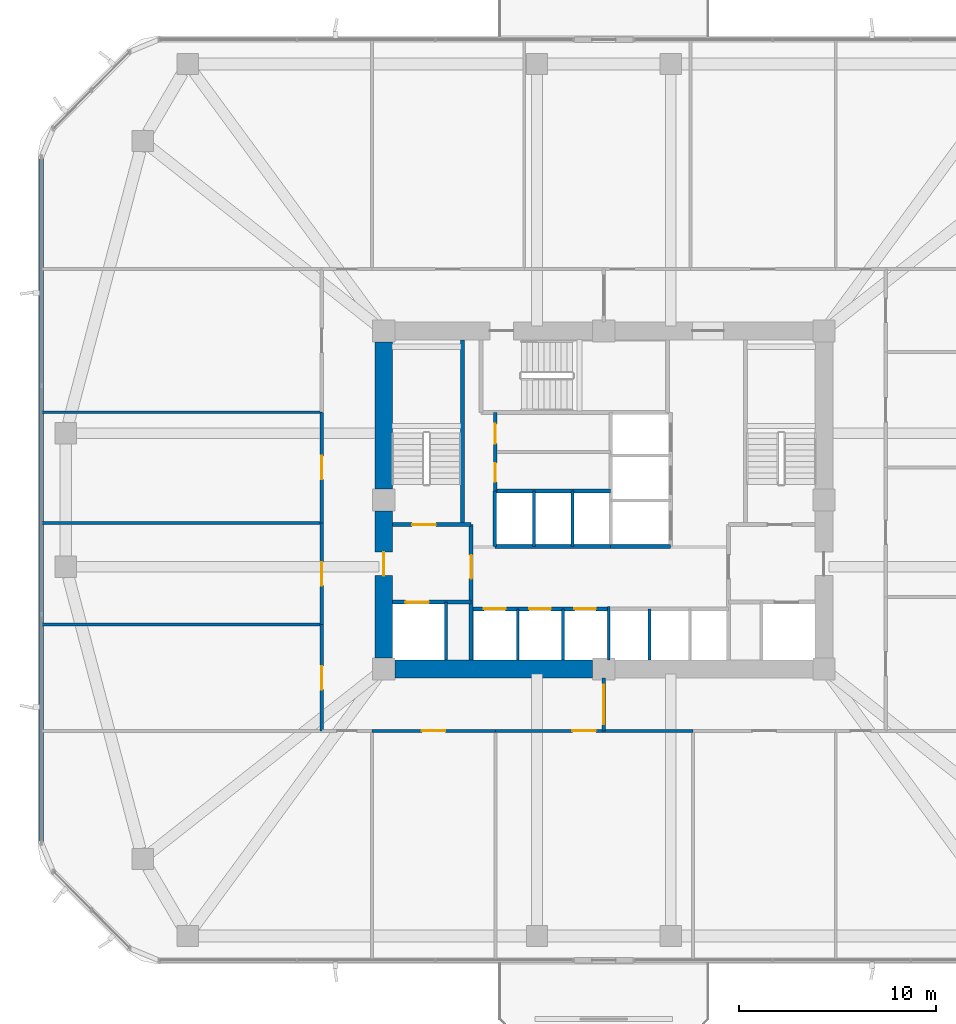
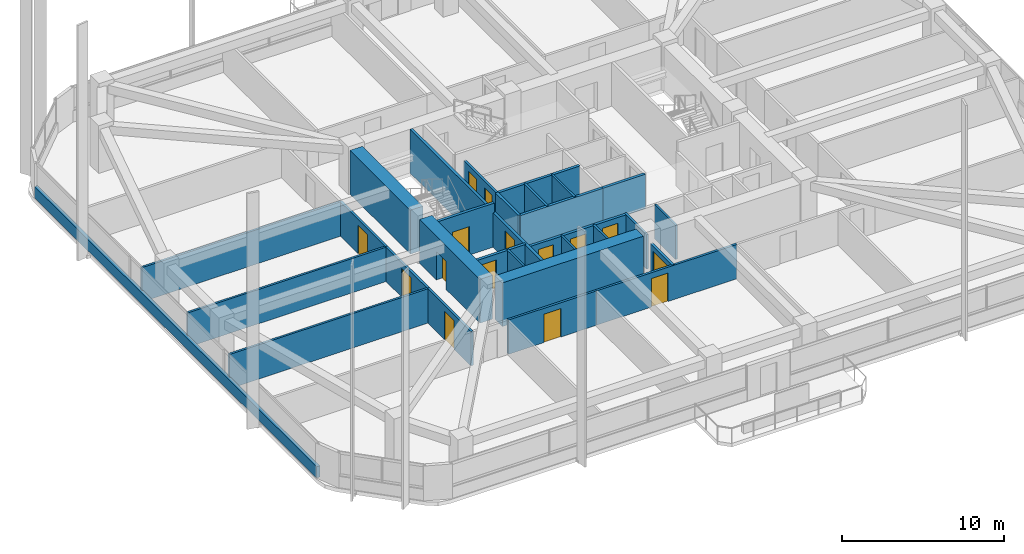
# One storey, part 9 of 17: 30 walls, 15 doors, 15 openings.
"""IFC4 building model written with IfcOpenShell, lengths in metres."""

from ifc_helpers import new_model, si_unit, derived_unit, direction, frame, frame_2d, origin, place, context, subcontext, project, spatial, rectangle, extrude, material, layer, layer_set, type_object, element, fill, save


model = new_model("IFC4")

# Units and contexts
model_context = context("Model", 3, precision=1e-05, world=origin(), true_north=direction((0.0, 1.0)))
body_context = subcontext(model_context, "Body", "Model", "MODEL_VIEW")
ifc_project = project(units=[si_unit("LENGTHUNIT", "METRE"), si_unit("AREAUNIT", "SQUARE_METRE"), si_unit("VOLUMEUNIT", "CUBIC_METRE"), si_unit("PLANEANGLEUNIT", "RADIAN"), si_unit("MASSUNIT", "GRAM", prefix="KILO"), derived_unit("THERMALTRANSMITTANCEUNIT", [(si_unit("POWERUNIT", "WATT"), 1), (si_unit("LENGTHUNIT", "METRE"), -2), (si_unit("THERMODYNAMICTEMPERATUREUNIT", "KELVIN"), -1)])], contexts=[model_context])

# Site, building, storey
site_placement = place(None, origin())
site = spatial("IfcSite", under=ifc_project, at=site_placement, CompositionType="ELEMENT")
building_placement = place(site_placement, origin())
building = spatial("IfcBuilding", under=site, at=building_placement, Name="Koralith Skygarden Medical Center", CompositionType="ELEMENT")
storey_placement = place(building_placement, frame((0.0, 0.0, 67.139892578125)))
storey = spatial("IfcBuildingStorey", under=building, at=storey_placement, Name="L17", CompositionType="ELEMENT", Elevation=67.139892578125)

# Walls
ifc_material_1 = material(Name="Gypsum Board Partition")
ifc_layer_1 = layer(ifc_material_1, 0.14990234375)
ifc_layer_set_1 = layer_set([ifc_layer_1], Name="Gypsum Board Partition")
wall_type_1 = type_object("IfcWallType", Name="Clinical Acoustic Partition 150", PredefinedType="PARTITIONING", material=ifc_layer_set_1)
for number, where, z_axis, x_axis, name in (
    (1, (22.64990234375, 19.554931640625, 0.0), (0.0, 0.0, 1.0), (-1.0, 0.0, 0.0), "L17 Clinical Acoustic Partition 150 W-PART-L17-W-01"),
    (2, (22.64990234375, 24.72509765625, 0.0), (0.0, 0.0, 1.0), (-1.0, 0.0, 0.0), "L17 Clinical Acoustic Partition 150 W-PART-L17-W-02"),
    (3, (22.64990234375, 30.364990234375, 0.0), (0.0, 0.0, 1.0), (-1.0, 0.0, 0.0), "L17 Clinical Acoustic Partition 150 W-PART-L17-W-03"),
):
    element("IfcWall", number, at=place(storey_placement, frame(where, z_axis=z_axis, x_axis=x_axis)), inside=storey, type_object=wall_type_1, Name=name, PredefinedType="PARTITIONING", context=body_context, shape_type="SweptSolid", body=[
        extrude(rectangle(XDim=14.25, YDim=0.14990234375, at=frame_2d((7.125, 0.0))), origin(), (0.0, 0.0, 1.0), 2.590087890625),
    ])

# Wall, opening, door
ifc_layer_2 = layer(ifc_material_1, 0.1650390625)
ifc_layer_set_2 = layer_set([ifc_layer_2], Name="Gypsum Board Partition")
wall_type_2 = type_object("IfcWallType", Name="Clinical Corridor Partition 165", PredefinedType="PARTITIONING", material=ifc_layer_set_2)
wall_1_placement = place(storey_placement, frame((25.199951171875, 14.14990234375, 0.0), z_axis=(0.0, 0.0, 1.0), x_axis=(1.0, 0.0, 0.0)))
wall_1 = element("IfcWall", 4, at=wall_1_placement, inside=storey, type_object=wall_type_2, Name="L17 Clinical Corridor Partition 165 W-CORR-L17-S-02", PredefinedType="PARTITIONING", context=body_context, shape_type="SweptSolid", body=[
    extrude(rectangle(XDim=6.283935546875, YDim=0.1650390625, at=frame_2d((3.14208984375, 0.0))), origin(), (0.0, 0.0, 1.0), 2.590087890625),
])
opening_1_placement = place(wall_1_placement, frame((2.5419921875, 0.0, 0.0)))
opening_1 = element("IfcOpeningElement", 5, at=opening_1_placement, cuts=wall_1, Name="Opening D-CLN", PredefinedType="OPENING", context=body_context, shape_type="SweptSolid", body=[
    extrude(rectangle(XDim=1.199951171875, YDim=2.14990234375, at=frame_2d((0.60009765625, 1.074951171875))), frame((0.0, 0.092529296875, 0.0), z_axis=(0.0, -1.0, 0.0), x_axis=(1.0, 0.0, 0.0)), (0.0, 0.0, 1.0), 0.18505859375),
])
ifc_material_2 = material(Name="Aluminium 6063-T6", Category="aluminium")
door_type_1 = type_object("IfcDoorType", Name="Clinical Corridor Door D-CLN 1200", OperationType="NOTDEFINED", PredefinedType="DOOR", material=ifc_material_2)
door_1_placement = place(opening_1_placement, frame((1.199951171875, 0.0, 0.0), z_axis=(0.0, 0.0, 1.0), x_axis=(-1.0, 0.0, 0.0)))
door_1 = element("IfcDoor", 6, at=door_1_placement, inside=storey, type_object=door_type_1, Name="L17 Electromyography Reading Office 07 Door", OperationType="SINGLE_SWING_RIGHT", OverallHeight=2.14990234375, OverallWidth=1.199951171875, PredefinedType="DOOR", context=body_context, shape_type="SweptSolid", body=[
    extrude(rectangle(XDim=1.199951171875, YDim=2.14990234375, at=frame_2d((0.60009765625, 1.074951171875))), frame((0.0, 0.02490234375, 0.0), z_axis=(0.0, -1.0, 0.0), x_axis=(1.0, 0.0, 0.0)), (0.0, 0.0, 1.0), 0.050048828125),
])
fill(opening_1, door_1)

wall_2_placement = place(storey_placement, frame((31.48388671875, 14.14990234375, 0.0), z_axis=(0.0, 0.0, 1.0), x_axis=(1.0, 0.0, 0.0)))
wall_2 = element("IfcWall", 7, at=wall_2_placement, inside=storey, type_object=wall_type_2, Name="L17 Clinical Corridor Partition 165 W-CORR-L17-S-03", PredefinedType="PARTITIONING", context=body_context, shape_type="SweptSolid", body=[
    extrude(rectangle(XDim=10.043212890625, YDim=0.1650390625, at=frame_2d((5.021484375, 0.0))), origin(), (0.0, 0.0, 1.0), 2.590087890625),
])
opening_2_placement = place(wall_2_placement, frame((3.910888671875, 0.0, 0.0)))
opening_2 = element("IfcOpeningElement", 8, at=opening_2_placement, cuts=wall_2, Name="Opening D-CLN", PredefinedType="OPENING", context=body_context, shape_type="SweptSolid", body=[
    extrude(rectangle(XDim=1.199951171875, YDim=2.14990234375, at=frame_2d((0.60009765625, 1.074951171875))), frame((0.0, 0.092529296875, 0.0), z_axis=(0.0, -1.0, 0.0), x_axis=(1.0, 0.0, 0.0)), (0.0, 0.0, 1.0), 0.18505859375),
])
door_2_placement = place(opening_2_placement, frame((1.199951171875, 0.0, 0.0), z_axis=(0.0, 0.0, 1.0), x_axis=(-1.0, 0.0, 0.0)))
door_2 = element("IfcDoor", 9, at=door_2_placement, inside=storey, type_object=door_type_1, Name="L17 Patient and Family Sky-Garden Day Lounge 08 Door", OperationType="SINGLE_SWING_LEFT", OverallHeight=2.14990234375, OverallWidth=1.199951171875, PredefinedType="DOOR", context=body_context, shape_type="SweptSolid", body=[
    extrude(rectangle(XDim=1.199951171875, YDim=2.14990234375, at=frame_2d((0.60009765625, 1.074951171875))), frame((0.0, 0.02490234375, 0.0), z_axis=(0.0, -1.0, 0.0), x_axis=(1.0, 0.0, 0.0)), (0.0, 0.0, 1.0), 0.050048828125),
])
fill(opening_2, door_2)

wall_3_placement = place(storey_placement, frame((22.64990234375, 14.14990234375, 0.0), z_axis=(0.0, 0.0, 1.0), x_axis=(0.0, 1.0, 0.0)))
wall_3 = element("IfcWall", 10, at=wall_3_placement, inside=storey, type_object=wall_type_2, Name="L17 Clinical Corridor Partition 165 W-CORR-L17-W-01", PredefinedType="PARTITIONING", context=body_context, shape_type="SweptSolid", body=[
    extrude(rectangle(XDim=5.405029296875, YDim=0.1650390625, at=frame_2d((2.70263671875, 0.0))), origin(), (0.0, 0.0, 1.0), 2.590087890625),
])
opening_3_placement = place(wall_3_placement, frame((2.10205078125, 0.0, 0.0)))
opening_3 = element("IfcOpeningElement", 11, at=opening_3_placement, cuts=wall_3, Name="Opening D-CLN", PredefinedType="OPENING", context=body_context, shape_type="SweptSolid", body=[
    extrude(rectangle(XDim=1.199951171875, YDim=2.14990234375, at=frame_2d((0.60009765625, 1.074951171875))), frame((0.0, 0.092529296875, 0.0), z_axis=(0.0, -1.0, 0.0), x_axis=(1.0, 0.0, 0.0)), (0.0, 0.0, 1.0), 0.18505859375),
])
door_3_placement = place(opening_3_placement, frame((1.199951171875, 0.0, 0.0), z_axis=(0.0, 0.0, 1.0), x_axis=(-1.0, 0.0, 0.0)))
door_3 = element("IfcDoor", 12, at=door_3_placement, inside=storey, type_object=door_type_1, Name="L17 Neurology Consultation Office 11 Door", OperationType="SINGLE_SWING_RIGHT", OverallHeight=2.14990234375, OverallWidth=1.199951171875, PredefinedType="DOOR", context=body_context, shape_type="SweptSolid", body=[
    extrude(rectangle(XDim=1.199951171875, YDim=2.14990234375, at=frame_2d((0.60009765625, 1.074951171875))), frame((0.0, 0.02490234375, 0.0), z_axis=(0.0, -1.0, 0.0), x_axis=(1.0, 0.0, 0.0)), (0.0, 0.0, 1.0), 0.050048828125),
])
fill(opening_3, door_3)

wall_4_placement = place(storey_placement, frame((22.64990234375, 19.554931640625, 0.0), z_axis=(0.0, 0.0, 1.0), x_axis=(0.0, 1.0, 0.0)))
wall_4 = element("IfcWall", 13, at=wall_4_placement, inside=storey, type_object=wall_type_2, Name="L17 Clinical Corridor Partition 165 W-CORR-L17-W-02", PredefinedType="PARTITIONING", context=body_context, shape_type="SweptSolid", body=[
    extrude(rectangle(XDim=5.170166015625, YDim=0.1650390625, at=frame_2d((2.5849609375, 0.0))), origin(), (0.0, 0.0, 1.0), 2.590087890625),
])
opening_4_placement = place(wall_4_placement, frame((1.985107421875, 0.0, 0.0)))
opening_4 = element("IfcOpeningElement", 14, at=opening_4_placement, cuts=wall_4, Name="Opening D-CLN", PredefinedType="OPENING", context=body_context, shape_type="SweptSolid", body=[
    extrude(rectangle(XDim=1.199951171875, YDim=2.14990234375, at=frame_2d((0.60009765625, 1.074951171875))), frame((0.0, 0.092529296875, 0.0), z_axis=(0.0, -1.0, 0.0), x_axis=(1.0, 0.0, 0.0)), (0.0, 0.0, 1.0), 0.18505859375),
])
door_4_placement = place(opening_4_placement, frame((1.199951171875, 0.0, 0.0), z_axis=(0.0, 0.0, 1.0), x_axis=(-1.0, 0.0, 0.0)))
door_4 = element("IfcDoor", 15, at=door_4_placement, inside=storey, type_object=door_type_1, Name="L17 Electromyography Reading Office 12 Door", OperationType="SINGLE_SWING_LEFT", OverallHeight=2.14990234375, OverallWidth=1.199951171875, PredefinedType="DOOR", context=body_context, shape_type="SweptSolid", body=[
    extrude(rectangle(XDim=1.199951171875, YDim=2.14990234375, at=frame_2d((0.60009765625, 1.074951171875))), frame((0.0, 0.02490234375, 0.0), z_axis=(0.0, -1.0, 0.0), x_axis=(1.0, 0.0, 0.0)), (0.0, 0.0, 1.0), 0.050048828125),
])
fill(opening_4, door_4)

wall_5_placement = place(storey_placement, frame((22.64990234375, 24.72509765625, 0.0), z_axis=(0.0, 0.0, 1.0), x_axis=(0.0, 1.0, 0.0)))
wall_5 = element("IfcWall", 16, at=wall_5_placement, inside=storey, type_object=wall_type_2, Name="L17 Clinical Corridor Partition 165 W-CORR-L17-W-03", PredefinedType="PARTITIONING", context=body_context, shape_type="SweptSolid", body=[
    extrude(rectangle(XDim=5.639892578125, YDim=0.1650390625, at=frame_2d((2.81982421875, 0.0))), origin(), (0.0, 0.0, 1.0), 2.590087890625),
])
opening_5_placement = place(wall_5_placement, frame((2.219970703125, 0.0, 0.0)))
opening_5 = element("IfcOpeningElement", 17, at=opening_5_placement, cuts=wall_5, Name="Opening D-CLN", PredefinedType="OPENING", context=body_context, shape_type="SweptSolid", body=[
    extrude(rectangle(XDim=1.199951171875, YDim=2.14990234375, at=frame_2d((0.60009765625, 1.074951171875))), frame((0.0, 0.092529296875, 0.0), z_axis=(0.0, -1.0, 0.0), x_axis=(1.0, 0.0, 0.0)), (0.0, 0.0, 1.0), 0.18505859375),
])
door_5_placement = place(opening_5_placement, frame((1.199951171875, 0.0, 0.0), z_axis=(0.0, 0.0, 1.0), x_axis=(-1.0, 0.0, 0.0)))
door_5 = element("IfcDoor", 18, at=door_5_placement, inside=storey, type_object=door_type_1, Name="L17 Neuropsychology Testing Office 13 Door", OperationType="SINGLE_SWING_RIGHT", OverallHeight=2.14990234375, OverallWidth=1.199951171875, PredefinedType="DOOR", context=body_context, shape_type="SweptSolid", body=[
    extrude(rectangle(XDim=1.199951171875, YDim=2.14990234375, at=frame_2d((0.60009765625, 1.074951171875))), frame((0.0, 0.02490234375, 0.0), z_axis=(0.0, -1.0, 0.0), x_axis=(1.0, 0.0, 0.0)), (0.0, 0.0, 1.0), 0.050048828125),
])
fill(opening_5, door_5)

ifc_layer_3 = layer(ifc_material_1, 0.199951171875)
ifc_layer_set_3 = layer_set([ifc_layer_3], Name="Gypsum Board Partition")
wall_type_3 = type_object("IfcWallType", Name="Fire Shaft Wall 200", PredefinedType="SOLIDWALL", material=ifc_layer_set_3)
wall_6_placement = place(storey_placement, frame((26.25, 20.699951171875, 0.0), z_axis=(0.0, 0.0, 1.0), x_axis=(1.0, 0.0, 0.0)))
wall_6 = element("IfcWall", 19, at=wall_6_placement, inside=storey, type_object=wall_type_3, Name="L17 Fire Shaft Wall 200 W-CORE-L17-FF1-N", PredefinedType="SOLIDWALL", context=body_context, shape_type="SweptSolid", body=[
    extrude(rectangle(XDim=4.0, YDim=0.199951171875, at=frame_2d((2.0, 0.0))), origin(), (0.0, 0.0, 1.0), 2.590087890625),
])
opening_6_placement = place(wall_6_placement, frame((0.64990234375, 0.0, 0.0)))
opening_6 = element("IfcOpeningElement", 20, at=opening_6_placement, cuts=wall_6, Name="Opening LD-FF", PredefinedType="OPENING", context=body_context, shape_type="SweptSolid", body=[
    extrude(rectangle(XDim=1.199951171875, YDim=2.14990234375, at=frame_2d((0.60009765625, 1.074951171875))), frame((0.0, 0.10986328125, 0.0), z_axis=(0.0, -1.0, 0.0), x_axis=(1.0, 0.0, 0.0)), (0.0, 0.0, 1.0), 0.219970703125),
])
ifc_material_3 = material(Name="Steel ASTM A500 Grade C", Category="steel")
door_type_2 = type_object("IfcDoorType", Name="Fire Lift Sliding Landing Door LD-FF 1200", OperationType="NOTDEFINED", PredefinedType="DOOR", material=ifc_material_3)
door_6_placement = place(opening_6_placement, origin())
door_6 = element("IfcDoor", 21, at=door_6_placement, inside=storey, type_object=door_type_2, Name="L17 Fire Service Elevator FF1 Landing Door", OperationType="SLIDING_TO_LEFT", OverallHeight=2.14990234375, OverallWidth=1.199951171875, PredefinedType="DOOR", context=body_context, shape_type="SweptSolid", body=[
    extrude(rectangle(XDim=1.199951171875, YDim=2.14990234375, at=frame_2d((0.60009765625, 1.074951171875))), frame((0.0, 0.02490234375, 0.0), z_axis=(0.0, -1.0, 0.0), x_axis=(1.0, 0.0, 0.0)), (0.0, 0.0, 1.0), 0.050048828125),
])
fill(opening_6, door_6)

wall_7_placement = place(storey_placement, frame((30.25, 17.75, 0.0), z_axis=(0.0, 0.0, 1.0), x_axis=(0.0, 1.0, 0.0)))
wall_7 = element("IfcWall", 22, at=wall_7_placement, inside=storey, type_object=wall_type_3, Name="L17 Fire Shaft Wall 200 W-CORE-L17-FSAEW-E", PredefinedType="SOLIDWALL", context=body_context, shape_type="SweptSolid", body=[
    extrude(rectangle(XDim=6.89990234375, YDim=0.199951171875, at=frame_2d((3.449951171875, 0.0))), origin(), (0.0, 0.0, 1.0), 2.590087890625),
])
opening_7_placement = place(wall_7_placement, frame((4.14990234375, 0.0, 0.0)))
opening_7 = element("IfcOpeningElement", 23, at=opening_7_placement, cuts=wall_7, Name="Opening D-ST60", PredefinedType="OPENING", context=body_context, shape_type="SweptSolid", body=[
    extrude(rectangle(XDim=1.199951171875, YDim=2.14990234375, at=frame_2d((0.60009765625, 1.074951171875))), frame((0.0, 0.10986328125, 0.0), z_axis=(0.0, -1.0, 0.0), x_axis=(1.0, 0.0, 0.0)), (0.0, 0.0, 1.0), 0.219970703125),
])
door_type_3 = type_object("IfcDoorType", Name="Smokeproof Stair Fire Door FD60S 1200", OperationType="NOTDEFINED", PredefinedType="DOOR", material=ifc_material_3)
door_7_placement = place(opening_7_placement, origin())
door_7 = element("IfcDoor", 24, at=door_7_placement, inside=storey, type_object=door_type_3, Name="L17 West Firefighting Lobby Inner Fire Door", OperationType="SINGLE_SWING_LEFT", OverallHeight=2.14990234375, OverallWidth=1.199951171875, PredefinedType="DOOR", context=body_context, shape_type="SweptSolid", body=[
    extrude(rectangle(XDim=1.199951171875, YDim=2.14990234375, at=frame_2d((0.60009765625, 1.074951171875))), frame((0.0, 0.02490234375, 0.0), z_axis=(0.0, -1.0, 0.0), x_axis=(1.0, 0.0, 0.0)), (0.0, 0.0, 1.0), 0.050048828125),
])
fill(opening_7, door_7)

# Wall, openings, doors
wall_8_placement = place(storey_placement, frame((30.25, 20.360107421875, 0.0), z_axis=(0.0, 0.0, 1.0), x_axis=(1.0, 0.0, 0.0)))
wall_8 = element("IfcWall", 25, at=wall_8_placement, inside=storey, type_object=wall_type_3, Name="L17 Fire Shaft Wall 200 W-CORE-L17-PL-N", PredefinedType="SOLIDWALL", context=body_context, shape_type="SweptSolid", body=[
    extrude(rectangle(XDim=7.0, YDim=0.199951171875, at=frame_2d((3.5, 0.0))), origin(), (0.0, 0.0, 1.0), 2.590087890625),
])
opening_8_placement = place(wall_8_placement, frame((0.64990234375, 0.0, 0.0)))
opening_8 = element("IfcOpeningElement", 26, at=opening_8_placement, cuts=wall_8, Name="Opening LD-P", PredefinedType="OPENING", context=body_context, shape_type="SweptSolid", body=[
    extrude(rectangle(XDim=1.10009765625, YDim=2.14990234375, at=frame_2d((0.550048828125, 1.074951171875))), frame((0.0, 0.10986328125, 0.0), z_axis=(0.0, -1.0, 0.0), x_axis=(1.0, 0.0, 0.0)), (0.0, 0.0, 1.0), 0.219970703125),
])
opening_9_placement = place(wall_8_placement, frame((2.949951171875, 0.0, 0.0)))
opening_9 = element("IfcOpeningElement", 27, at=opening_9_placement, cuts=wall_8, Name="Opening LD-P", PredefinedType="OPENING", context=body_context, shape_type="SweptSolid", body=[
    extrude(rectangle(XDim=1.10009765625, YDim=2.14990234375, at=frame_2d((0.550048828125, 1.074951171875))), frame((0.0, 0.10986328125, 0.0), z_axis=(0.0, -1.0, 0.0), x_axis=(1.0, 0.0, 0.0)), (0.0, 0.0, 1.0), 0.219970703125),
])
opening_10_placement = place(wall_8_placement, frame((5.25, 0.0, 0.0)))
opening_10 = element("IfcOpeningElement", 28, at=opening_10_placement, cuts=wall_8, Name="Opening LD-P", PredefinedType="OPENING", context=body_context, shape_type="SweptSolid", body=[
    extrude(rectangle(XDim=1.10009765625, YDim=2.14990234375, at=frame_2d((0.550048828125, 1.074951171875))), frame((0.0, 0.10986328125, 0.0), z_axis=(0.0, -1.0, 0.0), x_axis=(1.0, 0.0, 0.0)), (0.0, 0.0, 1.0), 0.219970703125),
])
door_type_4 = type_object("IfcDoorType", Name="Passenger Lift Sliding Landing Door LD-P 1100", OperationType="NOTDEFINED", PredefinedType="DOOR", material=ifc_material_3)
door_8_placement = place(opening_8_placement, origin())
door_8 = element("IfcDoor", 29, at=door_8_placement, inside=storey, type_object=door_type_4, Name="L17 Passenger Elevator PL1 Landing Door", OperationType="SLIDING_TO_LEFT", OverallHeight=2.14990234375, OverallWidth=1.10009765625, PredefinedType="DOOR", context=body_context, shape_type="SweptSolid", body=[
    extrude(rectangle(XDim=1.10009765625, YDim=2.14990234375, at=frame_2d((0.550048828125, 1.074951171875))), frame((0.0, 0.02490234375, 0.0), z_axis=(0.0, -1.0, 0.0), x_axis=(1.0, 0.0, 0.0)), (0.0, 0.0, 1.0), 0.050048828125),
])
fill(opening_8, door_8)
door_9_placement = place(opening_9_placement, origin())
door_9 = element("IfcDoor", 30, at=door_9_placement, inside=storey, type_object=door_type_4, Name="L17 Passenger Elevator PL2 Landing Door", OperationType="SLIDING_TO_LEFT", OverallHeight=2.14990234375, OverallWidth=1.10009765625, PredefinedType="DOOR", context=body_context, shape_type="SweptSolid", body=[
    extrude(rectangle(XDim=1.10009765625, YDim=2.14990234375, at=frame_2d((0.550048828125, 1.074951171875))), frame((0.0, 0.02490234375, 0.0), z_axis=(0.0, -1.0, 0.0), x_axis=(1.0, 0.0, 0.0)), (0.0, 0.0, 1.0), 0.050048828125),
])
fill(opening_9, door_9)
door_10_placement = place(opening_10_placement, origin())
door_10 = element("IfcDoor", 31, at=door_10_placement, inside=storey, type_object=door_type_4, Name="L17 Passenger Elevator PL3 Landing Door", OperationType="SLIDING_TO_LEFT", OverallHeight=2.14990234375, OverallWidth=1.10009765625, PredefinedType="DOOR", context=body_context, shape_type="SweptSolid", body=[
    extrude(rectangle(XDim=1.10009765625, YDim=2.14990234375, at=frame_2d((0.550048828125, 1.074951171875))), frame((0.0, 0.02490234375, 0.0), z_axis=(0.0, -1.0, 0.0), x_axis=(1.0, 0.0, 0.0)), (0.0, 0.0, 1.0), 0.050048828125),
])
fill(opening_10, door_10)

# Walls
for number, where, z_axis, x_axis, name in (
    (32, (31.449951171875, 23.5400390625, 0.0), (0.0, 0.0, 1.0), (1.0, 0.0, 0.0), "L17 Fire Shaft Wall 200 W-CORE-L17-PH-S"),
    (33, (31.449951171875, 26.35009765625, 0.0), (0.0, 0.0, 1.0), (1.0, 0.0, 0.0), "L17 Fire Shaft Wall 200 W-CORE-L17-PH-N"),
):
    element("IfcWall", number, at=place(storey_placement, frame(where, z_axis=z_axis, x_axis=x_axis)), inside=storey, type_object=wall_type_3, Name=name, PredefinedType="SOLIDWALL", context=body_context, shape_type="SweptSolid", body=[
        extrude(rectangle(XDim=5.900146484375, YDim=0.199951171875, at=frame_2d((2.9501953125, 0.0))), origin(), (0.0, 0.0, 1.0), 2.590087890625),
    ])
wall_9_placement = place(storey_placement, frame((31.449951171875, 23.5400390625, 0.0), z_axis=(0.0, 0.0, 1.0), x_axis=(0.0, 1.0, 0.0)))
element("IfcWall", 34, at=wall_9_placement, inside=storey, type_object=wall_type_3, Name="L17 Fire Shaft Wall 200 W-CORE-L17-PH-W", PredefinedType="SOLIDWALL", context=body_context, shape_type="SweptSolid", body=[
    extrude(rectangle(XDim=2.81005859375, YDim=0.199951171875, at=frame_2d((1.405029296875, 0.0))), origin(), (0.0, 0.0, 1.0), 2.590087890625),
])
wall_10_placement = place(storey_placement, frame((37.35009765625, 23.5400390625, 0.0), z_axis=(0.0, 0.0, 1.0), x_axis=(1.0, 0.0, 0.0)))
element("IfcWall", 35, at=wall_10_placement, inside=storey, type_object=wall_type_3, Name="L17 Fire Shaft Wall 200 W-CORE-L17-SV-S", PredefinedType="SOLIDWALL", context=body_context, shape_type="SweptSolid", body=[
    extrude(rectangle(XDim=3.0498046875, YDim=0.199951171875, at=frame_2d((1.52490234375, 0.0))), origin(), (0.0, 0.0, 1.0), 2.590087890625),
])

# Wall, opening, door
ifc_layer_4 = layer(ifc_material_1, 0.179931640625)
ifc_layer_set_4 = layer_set([ifc_layer_4], Name="Gypsum Board Partition")
wall_type_4 = type_object("IfcWallType", Name="Group I-2 Smoke Barrier Wall 180", PredefinedType="PARTITIONING", material=ifc_layer_set_4)
wall_11_placement = place(storey_placement, frame((37.0, 14.14990234375, 0.0), z_axis=(0.0, 0.0, 1.0), x_axis=(0.0, 1.0, 0.0)))
wall_11 = element("IfcWall", 36, at=wall_11_placement, inside=storey, type_object=wall_type_4, Name="L17 Group I-2 Smoke Barrier Wall 180 W-SMK-L17-S", PredefinedType="PARTITIONING", context=body_context, shape_type="SweptSolid", body=[
    extrude(rectangle(XDim=2.7001953125, YDim=0.179931640625, at=frame_2d((1.35009765625, 0.0))), origin(), (0.0, 0.0, 1.0), 2.590087890625),
])
opening_11_placement = place(wall_11_placement, frame((0.35009765625, 0.0, 0.0)))
opening_11 = element("IfcOpeningElement", 37, at=opening_11_placement, cuts=wall_11, Name="Opening D-SMK", PredefinedType="OPENING", context=body_context, shape_type="SweptSolid", body=[
    extrude(rectangle(XDim=2.0, YDim=2.199951171875, at=frame_2d((1.0, 1.10009765625))), frame((0.0, 0.099853515625, 0.0), z_axis=(0.0, -1.0, 0.0), x_axis=(1.0, 0.0, 0.0)), (0.0, 0.0, 1.0), 0.199951171875),
])
door_type_5 = type_object("IfcDoorType", Name="Cross-Corridor Double Smoke Door FD60S 2000", OperationType="NOTDEFINED", PredefinedType="DOOR", material=ifc_material_3)
door_11_placement = place(opening_11_placement, frame((2.0, 0.0, 0.0), z_axis=(0.0, 0.0, 1.0), x_axis=(-1.0, 0.0, 0.0)))
door_11 = element("IfcDoor", 38, at=door_11_placement, inside=storey, type_object=door_type_5, Name="L17 S Smoke Compartment Cross-Corridor Door", OperationType="DOUBLE_DOOR_SINGLE_SWING", OverallHeight=2.199951171875, OverallWidth=2.0, PredefinedType="DOOR", context=body_context, shape_type="SweptSolid", body=[
    extrude(rectangle(XDim=2.0, YDim=2.199951171875, at=frame_2d((1.0, 1.10009765625))), frame((0.0, 0.02490234375, 0.0), z_axis=(0.0, -1.0, 0.0), x_axis=(1.0, 0.0, 0.0)), (0.0, 0.0, 1.0), 0.050048828125),
])
fill(opening_11, door_11)

# Walls
ifc_material_4 = material(Name="Warm Oolitic Limestone Cladding", Category="masonry")
ifc_layer_5 = layer(ifc_material_4, 0.239990234375)
ifc_layer_set_5 = layer_set([ifc_layer_5], Name="Warm Oolitic Limestone Cladding")
wall_type_5 = type_object("IfcWallType", Name="Limestone Spandrel Sill Backup Wall 240", PredefinedType="SOLIDWALL", material=ifc_layer_set_5)
wall_12_placement = place(storey_placement, frame((8.3798828125, 43.344970703125, 0.0), z_axis=(0.0, 0.0, 1.0), x_axis=(0.0, -1.0, 0.0)))
element("IfcWall", 39, at=wall_12_placement, inside=storey, type_object=wall_type_5, Name="L17 Sill Spandrel W", PredefinedType="SOLIDWALL", context=body_context, shape_type="SweptSolid", body=[
    extrude(rectangle(XDim=34.889892578125, YDim=0.239990234375, at=frame_2d((17.44482421875, 0.0))), origin(), (0.0, 0.0, 1.0), 0.85009765625),
])
ifc_material_5 = material(Name="Concrete C70/85", Category="concrete")
ifc_layer_6 = layer(ifc_material_5, 0.89990234375)
ifc_layer_set_6 = layer_set([ifc_layer_6], Name="Concrete C70/85")
wall_type_6 = type_object("IfcWallType", Name="Lower Core Shear Wall 900", PredefinedType="SHEAR", material=ifc_layer_set_6)
wall_13_placement = place(storey_placement, frame((26.364990234375, 17.300048828125, 0.0), z_axis=(0.0, 0.0, 1.0), x_axis=(1.0, 0.0, 0.0)))
element("IfcWall", 40, at=wall_13_placement, inside=storey, type_object=wall_type_6, Name="L17 Core Shear Wall Segment 1", PredefinedType="SHEAR", context=body_context, shape_type="SweptSolid", body=[
    extrude(rectangle(XDim=10.070068359375, YDim=0.89990234375, at=frame_2d((5.03515625, 0.0))), origin(), (0.0, 0.0, 1.0), 3.300048828125),
])
wall_14_placement = place(storey_placement, frame((25.800048828125, 33.93505859375, 0.0), z_axis=(0.0, 0.0, 1.0), x_axis=(0.0, -1.0, 0.0)))
element("IfcWall", 41, at=wall_14_placement, inside=storey, type_object=wall_type_6, Name="L17 Core Shear Wall Segment 7", PredefinedType="SHEAR", context=body_context, shape_type="SweptSolid", body=[
    extrude(rectangle(XDim=7.469970703125, YDim=0.89990234375, at=frame_2d((3.73486328125, 0.0))), origin(), (0.0, 0.0, 1.0), 3.300048828125),
])

# Wall, opening, door
wall_15_placement = place(storey_placement, frame((25.800048828125, 25.3349609375, 0.0), z_axis=(0.0, 0.0, 1.0), x_axis=(0.0, -1.0, 0.0)))
wall_15 = element("IfcWall", 42, at=wall_15_placement, inside=storey, type_object=wall_type_6, Name="L17 Core Shear Wall Segment 8", PredefinedType="SHEAR", context=body_context, shape_type="SweptSolid", body=[
    extrude(rectangle(XDim=7.469970703125, YDim=0.89990234375, at=frame_2d((3.73486328125, 0.0))), origin(), (0.0, 0.0, 1.0), 3.300048828125),
])
opening_12_placement = place(wall_15_placement, frame((2.0849609375, 0.0, 0.0)))
opening_12 = element("IfcOpeningElement", 43, at=opening_12_placement, cuts=wall_15, Name="Opening D-ST60", PredefinedType="OPENING", context=body_context, shape_type="SweptSolid", body=[
    extrude(rectangle(XDim=1.199951171875, YDim=2.14990234375, at=frame_2d((0.60009765625, 1.074951171875))), frame((0.0, 0.4599609375, 0.0), z_axis=(0.0, -1.0, 0.0), x_axis=(1.0, 0.0, 0.0)), (0.0, 0.0, 1.0), 0.919921875),
])
door_12_placement = place(opening_12_placement, frame((1.199951171875, 0.0, 0.0), z_axis=(0.0, 0.0, 1.0), x_axis=(-1.0, 0.0, 0.0)))
door_12 = element("IfcDoor", 44, at=door_12_placement, inside=storey, type_object=door_type_3, Name="L17 West Corridor to Firefighting Lobby Door", OperationType="SINGLE_SWING_LEFT", OverallHeight=2.14990234375, OverallWidth=1.199951171875, PredefinedType="DOOR", context=body_context, shape_type="SweptSolid", body=[
    extrude(rectangle(XDim=1.199951171875, YDim=2.14990234375, at=frame_2d((0.60009765625, 1.074951171875))), frame((0.0, 0.02490234375, 0.0), z_axis=(0.0, -1.0, 0.0), x_axis=(1.0, 0.0, 0.0)), (0.0, 0.0, 1.0), 0.050048828125),
])
fill(opening_12, door_12)

# Wall, openings, doors
ifc_layer_7 = layer(ifc_material_1, 0.1650390625)
ifc_layer_set_7 = layer_set([ifc_layer_7], Name="Gypsum Board Partition")
wall_type_7 = type_object("IfcWallType", Name="Plumbing Wet Wall 165", PredefinedType="PLUMBINGWALL", material=ifc_layer_set_7)
wall_16_placement = place(storey_placement, frame((31.47998046875, 26.320068359375, 0.0), z_axis=(0.0, 0.0, 1.0), x_axis=(0.0, 1.0, 0.0)))
wall_16 = element("IfcWall", 45, at=wall_16_placement, inside=storey, type_object=wall_type_7, Name="L17 Plumbing Wet Wall 165 W-CORE-L17-FLEX-W", PredefinedType="PLUMBINGWALL", context=body_context, shape_type="SweptSolid", body=[
    extrude(rectangle(XDim=4.0400390625, YDim=0.1650390625, at=frame_2d((2.02001953125, 0.0))), origin(), (0.0, 0.0, 1.0), 2.590087890625),
])
opening_13_placement = place(wall_16_placement, frame((0.5, 0.0, 0.0)))
opening_13 = element("IfcOpeningElement", 46, at=opening_13_placement, cuts=wall_16, Name="Opening D-WC", PredefinedType="OPENING", context=body_context, shape_type="SweptSolid", body=[
    extrude(rectangle(XDim=0.949951171875, YDim=2.10009765625, at=frame_2d((0.47509765625, 1.050048828125))), frame((0.0, 0.092529296875, 0.0), z_axis=(0.0, -1.0, 0.0), x_axis=(1.0, 0.0, 0.0)), (0.0, 0.0, 1.0), 0.18505859375),
])
opening_14_placement = place(wall_16_placement, frame((2.449951171875, 0.0, 0.0)))
opening_14 = element("IfcOpeningElement", 47, at=opening_14_placement, cuts=wall_16, Name="Opening D-SUP", PredefinedType="OPENING", context=body_context, shape_type="SweptSolid", body=[
    extrude(rectangle(XDim=1.0, YDim=2.14990234375, at=frame_2d((0.5, 1.074951171875))), frame((0.0, 0.092529296875, 0.0), z_axis=(0.0, -1.0, 0.0), x_axis=(1.0, 0.0, 0.0)), (0.0, 0.0, 1.0), 0.18505859375),
])
door_type_6 = type_object("IfcDoorType", Name="Accessible Toilet Door D-WC 950", OperationType="NOTDEFINED", PredefinedType="DOOR", material=ifc_material_2)
door_13_placement = place(opening_13_placement, frame((0.949951171875, 0.0, 0.0), z_axis=(0.0, 0.0, 1.0), x_axis=(-1.0, 0.0, 0.0)))
door_13 = element("IfcDoor", 48, at=door_13_placement, inside=storey, type_object=door_type_6, Name="L17 Core Accessible WC Door", OperationType="SINGLE_SWING_LEFT", OverallHeight=2.10009765625, OverallWidth=0.949951171875, PredefinedType="DOOR", context=body_context, shape_type="SweptSolid", body=[
    extrude(rectangle(XDim=0.949951171875, YDim=2.10009765625, at=frame_2d((0.47509765625, 1.050048828125))), frame((0.0, 0.02490234375, 0.0), z_axis=(0.0, -1.0, 0.0), x_axis=(1.0, 0.0, 0.0)), (0.0, 0.0, 1.0), 0.050048828125),
])
fill(opening_13, door_13)
door_type_7 = type_object("IfcDoorType", Name="Clinical Support Door D-SUP 1000", OperationType="NOTDEFINED", PredefinedType="DOOR", material=ifc_material_2)
door_14_placement = place(opening_14_placement, frame((1.0, 0.0, 0.0), z_axis=(0.0, 0.0, 1.0), x_axis=(-1.0, 0.0, 0.0)))
door_14 = element("IfcDoor", 49, at=door_14_placement, inside=storey, type_object=door_type_7, Name="L17 Core Clean Utility Door", OperationType="SINGLE_SWING_RIGHT", OverallHeight=2.14990234375, OverallWidth=1.0, PredefinedType="DOOR", context=body_context, shape_type="SweptSolid", body=[
    extrude(rectangle(XDim=1.0, YDim=2.14990234375, at=frame_2d((0.5, 1.074951171875))), frame((0.0, 0.02490234375, 0.0), z_axis=(0.0, -1.0, 0.0), x_axis=(1.0, 0.0, 0.0)), (0.0, 0.0, 1.0), 0.050048828125),
])
fill(opening_14, door_14)

# Walls
ifc_layer_8 = layer(ifc_material_1, 0.14990234375)
ifc_layer_set_8 = layer_set([ifc_layer_8], Name="Gypsum Board Partition")
wall_type_8 = type_object("IfcWallType", Name="Shaft Partition Wall 150", PredefinedType="PARTITIONING", material=ifc_layer_set_8)
wall_17_placement = place(storey_placement, frame((28.969970703125, 17.75, 0.0), z_axis=(0.0, 0.0, 1.0), x_axis=(0.0, 1.0, 0.0)))
element("IfcWall", 50, at=wall_17_placement, inside=storey, type_object=wall_type_8, Name="L17 Shaft Partition Wall 150 W-CORE-L17-RSRW-DIV", PredefinedType="PARTITIONING", context=body_context, shape_type="SweptSolid", body=[
    extrude(rectangle(XDim=2.949951171875, YDim=0.14990234375, at=frame_2d((1.47509765625, 0.0))), origin(), (0.0, 0.0, 1.0), 2.590087890625),
])
for number, where, z_axis, x_axis, name in (
    (51, (32.6201171875, 17.75, 0.0), (0.0, 0.0, 1.0), (0.0, 1.0, 0.0), "L17 Shaft Partition Wall 150 W-CORE-L17-PL-D1"),
    (52, (34.919921875, 17.75, 0.0), (0.0, 0.0, 1.0), (0.0, 1.0, 0.0), "L17 Shaft Partition Wall 150 W-CORE-L17-PL-D2"),
    (53, (39.320068359375, 17.75, 0.0), (0.0, 0.0, 1.0), (0.0, 1.0, 0.0), "L17 Shaft Partition Wall 150 W-CORE-L17-PM-D1"),
):
    element("IfcWall", number, at=place(storey_placement, frame(where, z_axis=z_axis, x_axis=x_axis)), inside=storey, type_object=wall_type_8, Name=name, PredefinedType="PARTITIONING", context=body_context, shape_type="SweptSolid", body=[
        extrude(rectangle(XDim=2.610107421875, YDim=0.14990234375, at=frame_2d((1.30517578125, 0.0))), origin(), (0.0, 0.0, 1.0), 2.590087890625),
    ])
wall_18_placement = place(storey_placement, frame((37.25, 17.75, 0.0), z_axis=(0.0, 0.0, 1.0), x_axis=(0.0, 1.0, 0.0)))
element("IfcWall", 54, at=wall_18_placement, inside=storey, type_object=wall_type_8, Name="L17 Shaft Partition Wall 150 W-CORE-L17-PL-PM-SEP", PredefinedType="PARTITIONING", context=body_context, shape_type="SweptSolid", body=[
    extrude(rectangle(XDim=2.72998046875, YDim=0.14990234375, at=frame_2d((1.364990234375, 0.0))), origin(), (0.0, 0.0, 1.0), 2.590087890625),
])
for number, where, z_axis, x_axis, name in (
    (55, (33.449951171875, 23.5400390625, 0.0), (0.0, 0.0, 1.0), (0.0, 1.0, 0.0), "L17 Shaft Partition Wall 150 W-CORE-L17-PH-D1"),
    (56, (35.39990234375, 23.5400390625, 0.0), (0.0, 0.0, 1.0), (0.0, 1.0, 0.0), "L17 Shaft Partition Wall 150 W-CORE-L17-PH-D2"),
):
    element("IfcWall", number, at=place(storey_placement, frame(where, z_axis=z_axis, x_axis=x_axis)), inside=storey, type_object=wall_type_8, Name=name, PredefinedType="PARTITIONING", context=body_context, shape_type="SweptSolid", body=[
        extrude(rectangle(XDim=2.81005859375, YDim=0.14990234375, at=frame_2d((1.405029296875, 0.0))), origin(), (0.0, 0.0, 1.0), 2.590087890625),
    ])
ifc_material_6 = material(Name="Concrete C45/55", Category="concrete")
ifc_layer_9 = layer(ifc_material_6, 0.199951171875)
ifc_layer_set_9 = layer_set([ifc_layer_9], Name="Concrete C45/55")
wall_type_9 = type_object("IfcWallType", Name="Structural Stair Shaft Wall 200", PredefinedType="SHEAR", material=ifc_layer_set_9)
wall_19_placement = place(storey_placement, frame((29.800048828125, 24.64990234375, 0.0), z_axis=(0.0, 0.0, 1.0), x_axis=(0.0, 1.0, 0.0)))
element("IfcWall", 57, at=wall_19_placement, inside=storey, type_object=wall_type_9, Name="L17 Structural Stair Shaft Wall 200 W-CORE-L17-ST1-E", PredefinedType="SHEAR", context=body_context, shape_type="SweptSolid", body=[
    extrude(rectangle(XDim=9.400146484375, YDim=0.199951171875, at=frame_2d((4.7001953125, 0.0))), origin(), (0.0, 0.0, 1.0), 3.300048828125),
])

# Wall, opening, door
wall_20_placement = place(storey_placement, frame((26.25, 24.64990234375, 0.0), z_axis=(0.0, 0.0, 1.0), x_axis=(1.0, 0.0, 0.0)))
wall_20 = element("IfcWall", 58, at=wall_20_placement, inside=storey, type_object=wall_type_9, Name="L17 Structural Stair Shaft Wall 200 W-CORE-L17-ST1-S", PredefinedType="SHEAR", context=body_context, shape_type="SweptSolid", body=[
    extrude(rectangle(XDim=4.0, YDim=0.199951171875, at=frame_2d((2.0, 0.0))), origin(), (0.0, 0.0, 1.0), 3.300048828125),
])
opening_15_placement = place(wall_20_placement, frame((1.0, 0.0, 0.0)))
opening_15 = element("IfcOpeningElement", 59, at=opening_15_placement, cuts=wall_20, Name="Opening D-ST60", PredefinedType="OPENING", context=body_context, shape_type="SweptSolid", body=[
    extrude(rectangle(XDim=1.199951171875, YDim=2.14990234375, at=frame_2d((0.60009765625, 1.074951171875))), frame((0.0, 0.10986328125, 0.0), z_axis=(0.0, -1.0, 0.0), x_axis=(1.0, 0.0, 0.0)), (0.0, 0.0, 1.0), 0.219970703125),
])
door_15_placement = place(opening_15_placement, origin())
door_15 = element("IfcDoor", 60, at=door_15_placement, inside=storey, type_object=door_type_3, Name="L17 Exit Stair ST1 Fire Door", OperationType="SINGLE_SWING_LEFT", OverallHeight=2.14990234375, OverallWidth=1.199951171875, PredefinedType="DOOR", context=body_context, shape_type="SweptSolid", body=[
    extrude(rectangle(XDim=1.199951171875, YDim=2.14990234375, at=frame_2d((0.60009765625, 1.074951171875))), frame((0.0, 0.02490234375, 0.0), z_axis=(0.0, -1.0, 0.0), x_axis=(1.0, 0.0, 0.0)), (0.0, 0.0, 1.0), 0.050048828125),
])
fill(opening_15, door_15)

save(model, "model.ifc")
